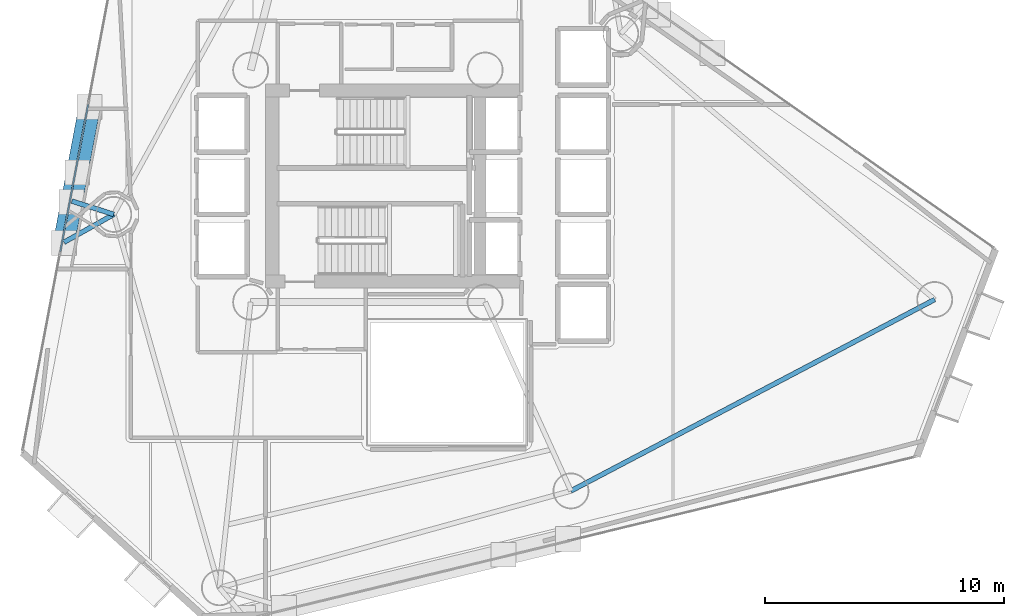
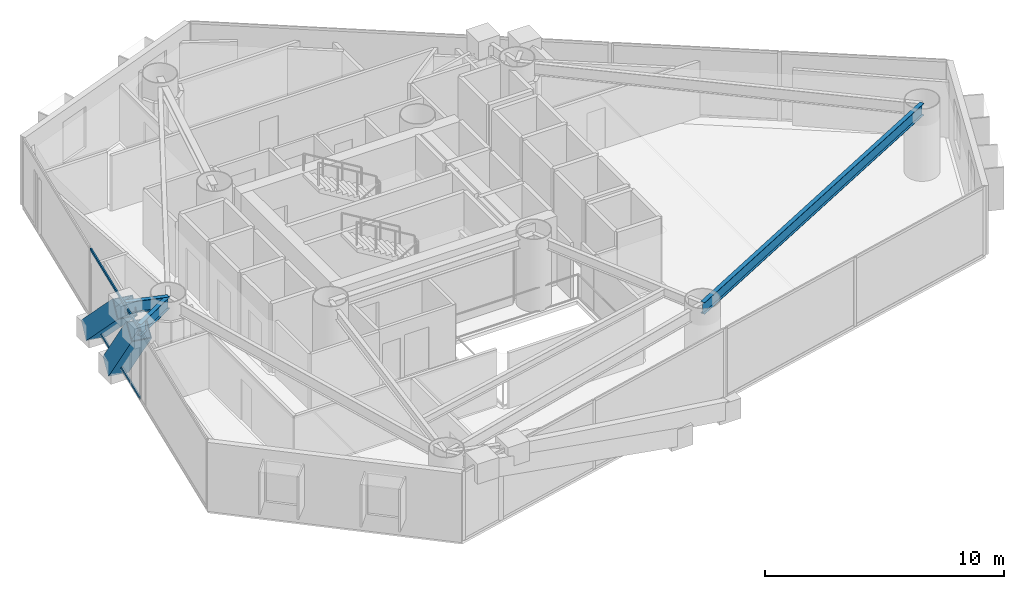
# One storey, part 8 of 24: 4 members, 3 beams, 1 element without a shape of its own.
"""IFC4 building model written with IfcOpenShell, lengths in metres."""

from ifc_helpers import new_model, si_unit, direction, frame, origin, origin_2d, place, context, subcontext, project, spatial, hollow_rectangle, i_section, extrude, material, layer, layer_set, material_profile, profile_set, type_object, element, aggregate, save


model = new_model("IFC4")

# Units and contexts
model_context = context("Model", 3, precision=1e-05, world=origin(), true_north=direction((0.0, 1.0)))
body_context = subcontext(model_context, "Body", "Model", "MODEL_VIEW")
ifc_project = project(units=[si_unit("LENGTHUNIT", "METRE"), si_unit("AREAUNIT", "SQUARE_METRE"), si_unit("VOLUMEUNIT", "CUBIC_METRE"), si_unit("PLANEANGLEUNIT", "RADIAN"), si_unit("MASSUNIT", "GRAM", prefix="KILO")], contexts=[model_context])

# Site, building, storey
site_placement = place(None, origin())
site = spatial("IfcSite", under=ifc_project, at=site_placement, CompositionType="ELEMENT")
building_placement = place(site_placement, origin())
building = spatial("IfcBuilding", under=site, at=building_placement, Name="Qianvela Tower", CompositionType="ELEMENT")
storey_placement = place(building_placement, frame((0.0, 0.0, 101.5)))
storey = spatial("IfcBuildingStorey", under=building, at=storey_placement, Name="L25", CompositionType="ELEMENT", Elevation=101.5)

# Beams
ifc_material_1 = material(Name="Steel Q355B", Category="steel")
ifc_material_profile_1 = material_profile(ifc_material_1, i_section(OverallWidth=0.199951171875, OverallDepth=0.60009765625, WebThickness=0.010986328125, FlangeThickness=0.01708984375, at=origin_2d()), Name="HN600x200x11x17")
ifc_profile_set_1 = profile_set([ifc_material_profile_1], Name="Steel Q355B")
beam_type = type_object("IfcBeamType", Name="BM-HN600-GIRD", PredefinedType="BEAM", material=ifc_profile_set_1)
beam_1_placement = place(storey_placement, frame((22.8779296875, 27.51611328125, 3.218017578125), z_axis=(-0.953275378428, 0.302102719093, 0.0), x_axis=(-0.302102719093, -0.953275378428, 0.0)))
element("IfcBeam", 1, at=beam_1_placement, inside=storey, type_object=beam_type, Name="L25 Mega-Brace Column Tie Bracket F2-1", PredefinedType="BEAM", context=body_context, shape_type="SweptSolid", body=[
    extrude(i_section(OverallWidth=0.199951171875, OverallDepth=0.60009765625, WebThickness=0.010986328125, FlangeThickness=0.01708984375, at=origin_2d()), origin(), (0.0, 0.0, 1.0), 1.840087890625),
])
beam_2_placement = place(storey_placement, frame((22.8779296875, 27.51611328125, 3.218017578125), z_axis=(-0.872320908759, -0.488933770711, 0.0), x_axis=(0.488933770711, -0.872320908759, 0.0)))
element("IfcBeam", 2, at=beam_2_placement, inside=storey, type_object=beam_type, Name="L25 Mega-Brace Column Tie Bracket F2-2", PredefinedType="BEAM", context=body_context, shape_type="SweptSolid", body=[
    extrude(i_section(OverallWidth=0.199951171875, OverallDepth=0.60009765625, WebThickness=0.010986328125, FlangeThickness=0.01708984375, at=origin_2d()), origin(), (0.0, 0.0, 1.0), 2.384765625),
])
beam_3_placement = place(storey_placement, frame((41.988037109375, 15.95703125, 3.218017578125), z_axis=(0.884971229381, 0.465645705627, 0.0), x_axis=(-0.465645705627, 0.884971229381, 0.0)))
element("IfcBeam", 3, at=beam_3_placement, inside=storey, type_object=beam_type, Name="L25 Perimeter Ring Spandrel Girder 6", PredefinedType="BEAM", context=body_context, shape_type="SweptSolid", body=[
    extrude(i_section(OverallWidth=0.199951171875, OverallDepth=0.60009765625, WebThickness=0.010986328125, FlangeThickness=0.01708984375, at=origin_2d()), origin(), (0.0, 0.0, 1.0), 17.1826171875),
])

# Curtain wall, members
ifc_material_2 = material(Name="Anodised Architectural Aluminium and Insulated Spandrel Panel", Category="aluminium")
ifc_layer = layer(ifc_material_2, 0.179931640625)
ifc_layer_set = layer_set([ifc_layer], Name="Anodised Architectural Aluminium and Insulated Spandrel Panel")
curtain_wall_type = type_object("IfcCurtainWallType", Name="CW-BRACEBAY", PredefinedType="USERDEFINED", material=ifc_layer_set)
curtain_wall_placement = place(storey_placement, origin())
curtain_wall = element("IfcCurtainWall", 4, at=curtain_wall_placement, inside=storey, type_object=curtain_wall_type, Name="L25 CW-BRACEBAY Curtain Wall 04B", ObjectType="CURTAIN_WALL_SYSTEM", PredefinedType="USERDEFINED")
ifc_material_3 = material(Name="Anodised Architectural Aluminium 6063-T6", Category="aluminium")
ifc_material_profile_2 = material_profile(ifc_material_3, hollow_rectangle(XDim=0.06494140625, YDim=0.1298828125, WallThickness=0.00439453125, at=origin_2d()), Name="ALU-TRAN-65x130")
ifc_profile_set_2 = profile_set([ifc_material_profile_2], Name="Anodised Architectural Aluminium 6063-T6")
member_type_1 = type_object("IfcMemberType", Name="CW-BRACEBAY-TRAN", PredefinedType="USERDEFINED", material=ifc_profile_set_2)
member_1_placement = place(storey_placement, frame((21.806396484375, 32.109130859375, 0.032470703125), z_axis=(-0.185995467868, -0.982550602225, 0.0), x_axis=(0.982550602225, -0.185995467868, 0.0)))
member_1 = element("IfcMember", 5, at=member_1_placement, type_object=member_type_1, Name="CW-9 transom 1.1", ObjectType="TRANSOM", PredefinedType="USERDEFINED", context=body_context, shape_type="SweptSolid", body=[
    extrude(hollow_rectangle(XDim=0.06494140625, YDim=0.1298828125, WallThickness=0.00439453125, at=origin_2d()), origin(), (0.0, 0.0, 1.0), 6.259765625),
])
member_2_placement = place(storey_placement, frame((21.806396484375, 32.109130859375, 3.487548828125), z_axis=(-0.185995467868, -0.982550602225, 0.0), x_axis=(0.982550602225, -0.185995467868, 0.0)))
member_2 = element("IfcMember", 6, at=member_2_placement, type_object=member_type_1, Name="CW-9 transom 1.2", ObjectType="TRANSOM", PredefinedType="USERDEFINED", context=body_context, shape_type="SweptSolid", body=[
    extrude(hollow_rectangle(XDim=0.06494140625, YDim=0.1298828125, WallThickness=0.00439453125, at=origin_2d()), origin(), (0.0, 0.0, 1.0), 6.259765625),
])
aggregate(curtain_wall, [member_1, member_2])

# Members
ifc_material_4 = material(Name="Steel Q420GJC", Category="steel")
ifc_material_profile_3 = material_profile(ifc_material_4, hollow_rectangle(XDim=0.89990234375, YDim=0.89990234375, WallThickness=0.035888671875, at=origin_2d()), Name="MBOX-900x900x36")
ifc_profile_set_3 = profile_set([ifc_material_profile_3], Name="Steel Q420GJC")
member_type_2 = type_object("IfcMemberType", Name="MBR-MBRACE-900", PredefinedType="BRACE", material=ifc_profile_set_3)
member_3_placement = place(storey_placement, frame((21.85986328125, 31.960693359375, -0.48193359375), z_axis=(-0.135862449403, -0.717750279961, 0.682917220795), x_axis=(0.982552274411, -0.185986634063, 0.0)))
element("IfcMember", 7, at=member_3_placement, inside=storey, type_object=member_type_2, Name="L25 Tier 4 Exterior Mega-Brace F2A", PredefinedType="BRACE", context=body_context, shape_type="SweptSolid", body=[
    extrude(hollow_rectangle(XDim=0.89990234375, YDim=0.89990234375, WallThickness=0.035888671875, at=origin_2d()), origin(), (0.0, 0.0, 1.0), 5.41796875),
])
member_4_placement = place(storey_placement, frame((21.342529296875, 29.227783203125, -0.48193359375), z_axis=(-0.115477406996, -0.609826252806, 0.78407710709), x_axis=(0.982539369751, -0.186054795392, 0.0)))
element("IfcMember", 8, at=member_4_placement, inside=storey, type_object=member_type_2, Name="L25 Tier 4 Exterior Mega-Brace F2B", PredefinedType="BRACE", context=body_context, shape_type="SweptSolid", body=[
    extrude(hollow_rectangle(XDim=0.89990234375, YDim=0.89990234375, WallThickness=0.035888671875, at=origin_2d()), origin(), (0.0, 0.0, 1.0), 4.71875),
])

save(model, "model.ifc")
